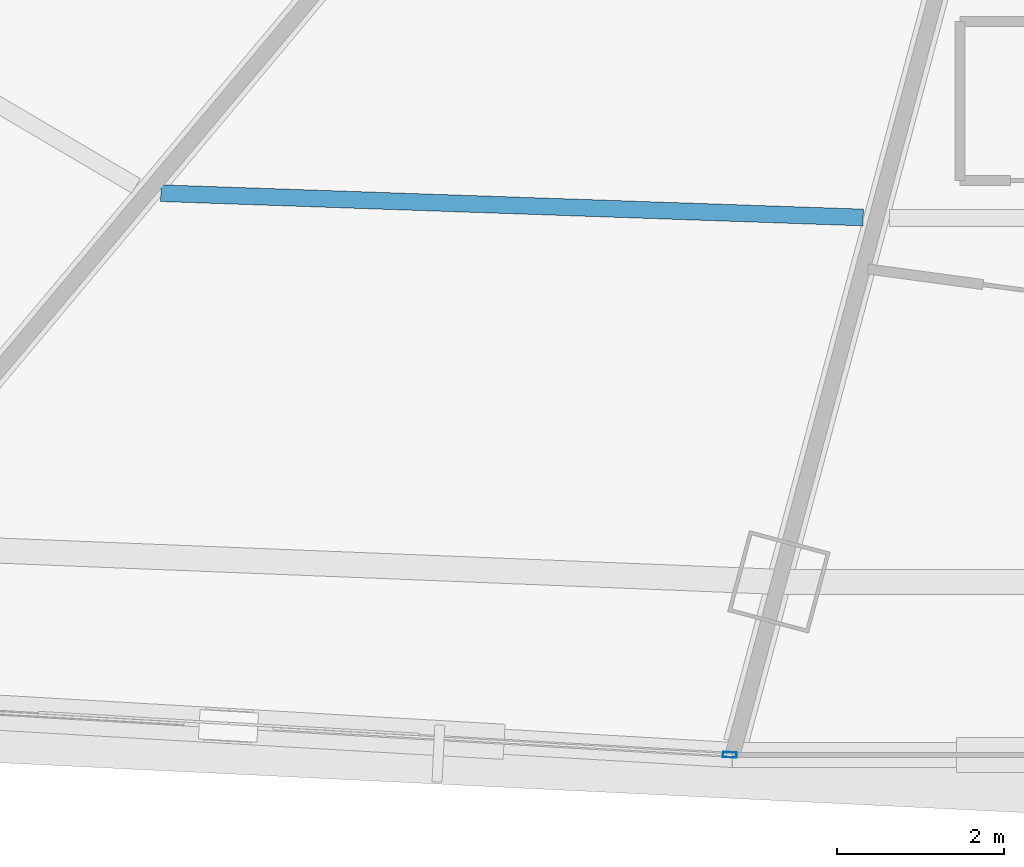
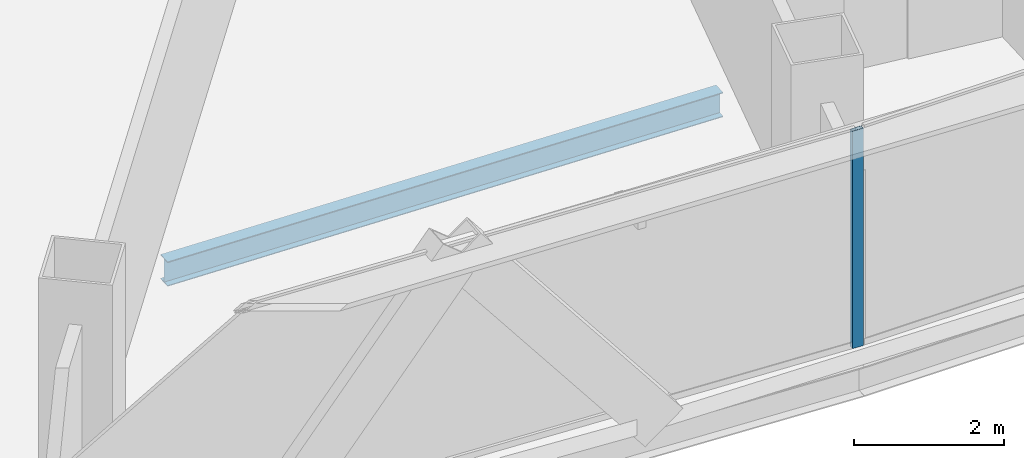
# One storey, part 8 of 37: 1 beam, 1 member, 1 element without a shape of its own.
"""IFC4 building model written with IfcOpenShell, lengths in metres."""

from ifc_helpers import new_model, si_unit, direction, frame, origin, origin_2d, place, context, subcontext, project, spatial, hollow_rectangle, i_section, extrude, source, transform, mapped, material, layer, layer_set, material_profile, profile_set, type_object, element, aggregate, save


model = new_model("IFC4")

# Units and contexts
model_context = context("Model", 3, precision=1e-05, world=origin(), true_north=direction((0.0, 1.0)))
body_context = subcontext(model_context, "Body", "Model", "MODEL_VIEW")
ifc_project = project(units=[si_unit("LENGTHUNIT", "METRE"), si_unit("AREAUNIT", "SQUARE_METRE"), si_unit("VOLUMEUNIT", "CUBIC_METRE"), si_unit("PLANEANGLEUNIT", "RADIAN"), si_unit("MASSUNIT", "GRAM", prefix="KILO"), si_unit("THERMODYNAMICTEMPERATUREUNIT", "KELVIN"), si_unit("POWERUNIT", "WATT")], contexts=[model_context])

# Site, building, storey
site_placement = place(None, origin())
site = spatial("IfcSite", under=ifc_project, at=site_placement, CompositionType="ELEMENT")
building_placement = place(site_placement, origin())
building = spatial("IfcBuilding", under=site, at=building_placement, Name="Yunzhuo Pagoda Commons", CompositionType="ELEMENT")
storey_placement = place(building_placement, frame((0.0, 0.0, 84.97998046875)))
storey = spatial("IfcBuildingStorey", under=building, at=storey_placement, Name="L21", CompositionType="ELEMENT", Elevation=84.97998046875)

# Beam
ifc_material_1 = material(Name="Structural steel Q355B", Category="steel")
ifc_material_profile_1 = material_profile(ifc_material_1, i_section(OverallWidth=0.199951171875, OverallDepth=0.39990234375, WebThickness=0.008056640625, FlangeThickness=0.012939453125, at=origin_2d()), Name="Structural steel Q355B")
ifc_profile_set_1 = profile_set([ifc_material_profile_1], Name="Structural steel Q355B")
beam_type = type_object("IfcBeamType", Name="B-JS1 Joist HN 400x200x8x13", PredefinedType="JOIST", material=ifc_profile_set_1)
shared_shape_1 = source(origin(), body_context, "Body", "SweptSolid", [
    extrude(i_section(OverallWidth=0.199951171875, OverallDepth=0.39990234375, WebThickness=0.008056640625, FlangeThickness=0.012939453125, at=origin_2d()), origin(), (0.0, 0.0, 1.0), 8.392822265625),
])
beam_placement = place(storey_placement, frame((35.25048828125, 18.310791015625, -0.459716796875), z_axis=(0.999400667027, -0.034616567521, 0.0), x_axis=(0.034616567521, 0.999400667027, 0.0)))
element("IfcBeam", 1, at=beam_placement, inside=storey, type_object=beam_type, Name="L21 composite ring joist 2.1", PredefinedType="JOIST", context=body_context, shape_type="MappedRepresentation", body=[
    mapped(shared_shape_1, transform((0.0, 0.0, 0.0), scale=1.0)),
])

# Curtain wall, member
ifc_material_2 = material(Name="Anodized aluminium 6063-T6", Category="aluminium")
ifc_layer = layer(ifc_material_2, 0.1650390625)
ifc_layer_set = layer_set([ifc_layer], Name="Anodized aluminium 6063-T6")
curtain_wall_type = type_object("IfcCurtainWallType", Name="CW-LOW Low-Zone Ribbon Curtain Wall", PredefinedType="NOTDEFINED", material=ifc_layer_set)
curtain_wall_placement = place(storey_placement, origin())
curtain_wall = element("IfcCurtainWall", 2, at=curtain_wall_placement, inside=storey, type_object=curtain_wall_type, Name="L21 curtain wall CW-L21-F1B2", PredefinedType="NOTDEFINED")
ifc_material_profile_2 = material_profile(ifc_material_2, hollow_rectangle(XDim=0.06494140625, YDim=0.1650390625, WallThickness=0.00390625, at=origin_2d()), Name="Anodized aluminium 6063-T6")
ifc_profile_set_2 = profile_set([ifc_material_profile_2], Name="Anodized aluminium 6063-T6")
member_type = type_object("IfcMemberType", Name="CW-LOW-M Mullion RHS 165x65x4", PredefinedType="MULLION", material=ifc_profile_set_2)
shared_shape_2 = source(origin(), body_context, "Body", "SweptSolid", [
    extrude(hollow_rectangle(XDim=0.06494140625, YDim=0.1650390625, WallThickness=0.00390625, at=origin_2d()), origin(), (0.0, 0.0, 1.0), 3.5400390625),
])
member_placement = place(storey_placement, frame((42.046142578125, 11.60302734375, 0.000244140625), z_axis=(0.0, 0.0, 1.0), x_axis=(0.057418382325, 0.998350203772, 0.0)))
member = element("IfcMember", 3, at=member_placement, type_object=member_type, Name="CW mullion 2", PredefinedType="MULLION", context=body_context, shape_type="MappedRepresentation", body=[
    mapped(shared_shape_2, transform((0.0, 0.0, 0.0), scale=1.0)),
])
aggregate(curtain_wall, [member])

save(model, "model.ifc")
